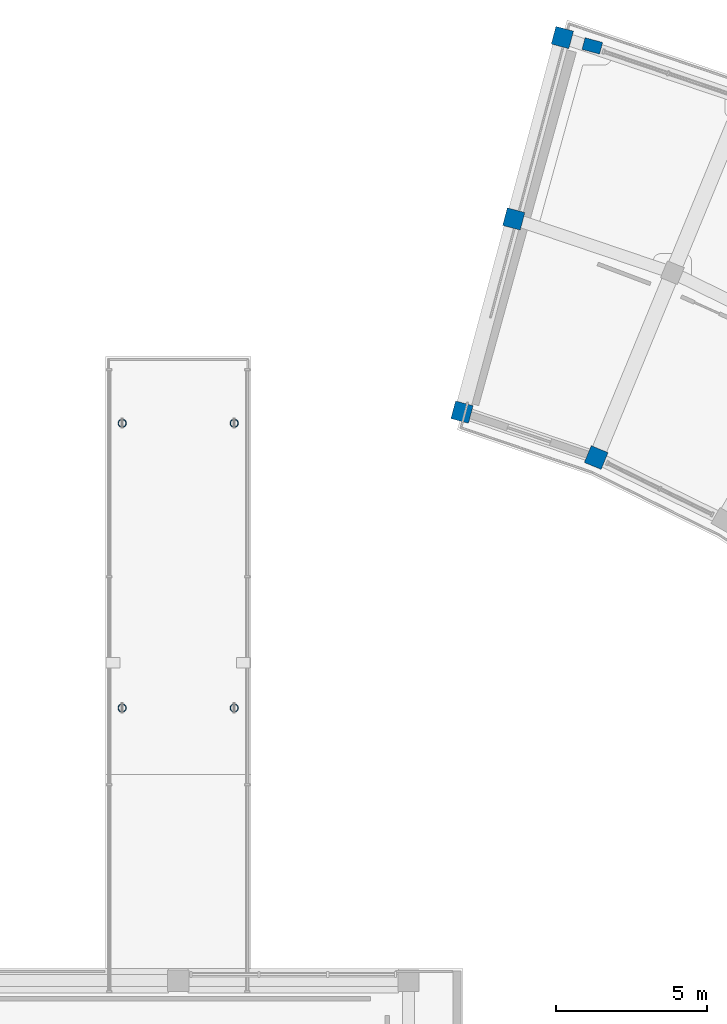
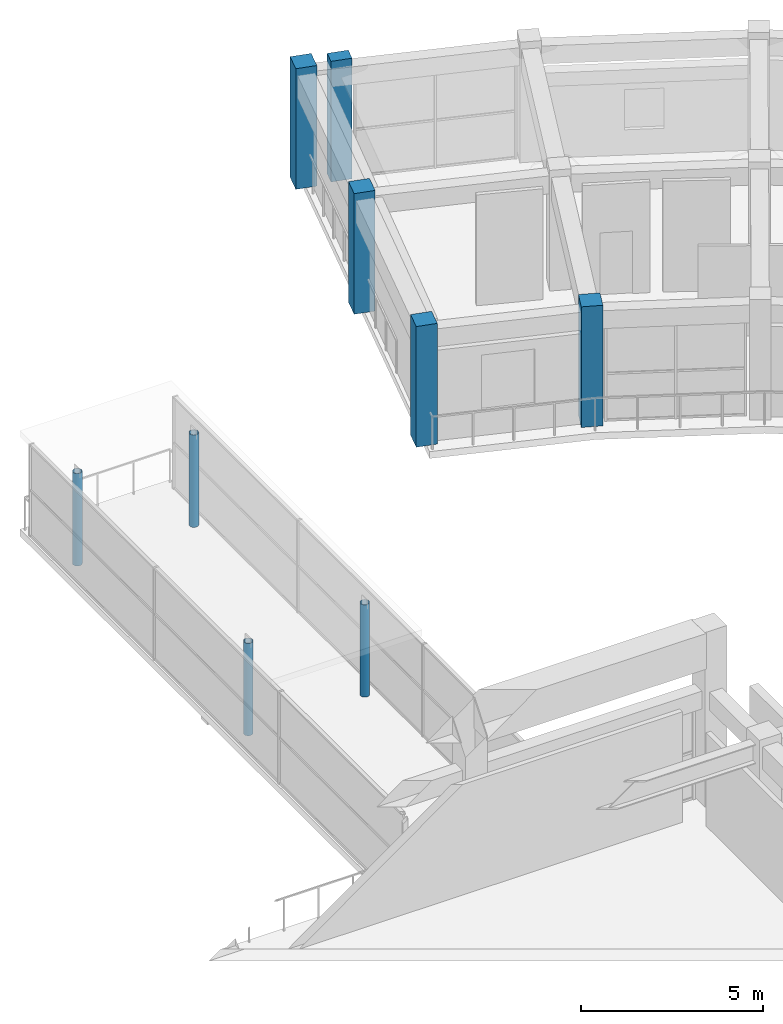
# One storey, part 5 of 29: 9 columns.
"""IFC4 building model written with IfcOpenShell, lengths in metres."""

from ifc_helpers import new_model, si_unit, direction, frame, origin, origin_2d, place, context, subcontext, project, spatial, rectangle, hollow_circle, extrude, material, material_profile, profile_set, type_object, element, save


model = new_model("IFC4")

# Units and contexts
model_context = context("Model", 3, precision=1e-05, world=origin(), true_north=direction((0.0, 1.0)))
body_context = subcontext(model_context, "Body", "Model", "MODEL_VIEW")
ifc_project = project(units=[si_unit("LENGTHUNIT", "METRE"), si_unit("AREAUNIT", "SQUARE_METRE"), si_unit("VOLUMEUNIT", "CUBIC_METRE"), si_unit("PLANEANGLEUNIT", "RADIAN"), si_unit("MASSUNIT", "GRAM", prefix="KILO")], contexts=[model_context])

# Site, building, storey
site_placement = place(None, origin())
site = spatial("IfcSite", under=ifc_project, at=site_placement, CompositionType="ELEMENT")
building_placement = place(site_placement, origin())
building = spatial("IfcBuilding", under=site, at=building_placement, Name="Saryqyr Civic Hall", CompositionType="ELEMENT")
storey_placement = place(building_placement, frame((0.0, 0.0, 25.35009765625)))
storey = spatial("IfcBuildingStorey", under=building, at=storey_placement, Name="L06", CompositionType="ELEMENT", Elevation=25.35009765625)

# Columns
ifc_material_1 = material(Name="Steel S355", Category="steel")
ifc_material_profile_1 = material_profile(ifc_material_1, hollow_circle(Radius=0.136474609375, WallThickness=0.01611328125, at=origin_2d()), Name="CHS 273x16")
ifc_profile_set_1 = profile_set([ifc_material_profile_1], Name="Steel S355")
column_type_1 = type_object("IfcColumnType", Name="STR-COL-CHS273-S355", PredefinedType="COLUMN", material=ifc_profile_set_1)
for number, where, z_axis, x_axis, name in (
    (1, (55.14990234375, 109.199951171875, 0.0), (0.0, 0.0, 1.0), (1.0, 0.0, 0.0), "Column BRCOL-BR-CN-1-L06"),
    (2, (58.85009765625, 109.199951171875, 0.0), (0.0, 0.0, 1.0), (1.0, 0.0, 0.0), "Column BRCOL-BR-CN-2-L06"),
    (3, (58.85009765625, 118.60009765625, 0.0), (0.0, 0.0, 1.0), (1.0, 0.0, 0.0), "Column BRCOL-BR-CN-3-L06"),
    (4, (55.14990234375, 118.60009765625, 0.0), (0.0, 0.0, 1.0), (1.0, 0.0, 0.0), "Column BRCOL-BR-CN-4-L06"),
):
    element("IfcColumn", number, at=place(storey_placement, frame(where, z_axis=z_axis, x_axis=x_axis)), inside=storey, type_object=column_type_1, Name=name, PredefinedType="COLUMN", context=body_context, shape_type="SweptSolid", body=[
        extrude(hollow_circle(Radius=0.136474609375, WallThickness=0.01611328125, at=origin_2d()), origin(), (0.0, 0.0, 1.0), 3.099853515625),
    ])
ifc_material_2 = material(Name="Concrete C40/50", Category="concrete")
ifc_material_profile_2 = material_profile(ifc_material_2, rectangle(XDim=0.60009765625, YDim=0.60009765625, at=origin_2d()), Name="RC 600x600")
ifc_profile_set_2 = profile_set([ifc_material_profile_2], Name="Concrete C40/50")
column_type_2 = type_object("IfcColumnType", Name="STR-COL-RC600-C40", PredefinedType="COLUMN", material=ifc_profile_set_2)
for number, where, z_axis, x_axis, name in (
    (5, (70.797607421875, 117.46728515625, 0.0), (0.0, 0.0, 1.0), (0.381231734269, 0.924479510204, 0.0), "Column V6-COL-IN09-L06"),
    (6, (66.369140625, 118.966552734375, 0.0), (0.0, 0.0, 1.0), (0.258819045103, 0.965925826289, 0.0), "Column V6-COL-IN10-L06"),
    (7, (68.077392578125, 125.341552734375, 0.0), (0.0, 0.0, 1.0), (0.258819045103, 0.965925826289, 0.0), "Column V6-COL-MID10-L06"),
    (8, (69.68212890625, 131.330322265625, 0.0), (0.0, 0.0, 1.0), (0.258819045103, 0.965925826289, 0.0), "Column V6-COL-OUT10-L06"),
):
    element("IfcColumn", number, at=place(storey_placement, frame(where, z_axis=z_axis, x_axis=x_axis)), inside=storey, type_object=column_type_2, Name=name, PredefinedType="COLUMN", context=body_context, shape_type="SweptSolid", body=[
        extrude(rectangle(XDim=0.60009765625, YDim=0.60009765625, at=origin_2d()), origin(), (0.0, 0.0, 1.0), 4.0498046875),
    ])
ifc_material_profile_3 = material_profile(ifc_material_2, rectangle(XDim=0.39990234375, YDim=0.60009765625, at=origin_2d()), Name="RC 400x600")
ifc_profile_set_3 = profile_set([ifc_material_profile_3], Name="Concrete C40/50")
column_type_3 = type_object("IfcColumnType", Name="STR-PIL-RC400x600-EXT", PredefinedType="PILASTER", material=ifc_profile_set_3)
column_placement = place(storey_placement, frame((70.670654296875, 131.054443359375, 0.0), z_axis=(0.0, 0.0, 1.0), x_axis=(0.258819045103, 0.965925826289, 0.0)))
element("IfcColumn", 9, at=column_placement, inside=storey, type_object=column_type_3, Name="Column V6-PIL-10-L06", PredefinedType="PILASTER", context=body_context, shape_type="SweptSolid", body=[
    extrude(rectangle(XDim=0.39990234375, YDim=0.60009765625, at=origin_2d()), origin(), (0.0, 0.0, 1.0), 4.0498046875),
])

save(model, "model.ifc")
